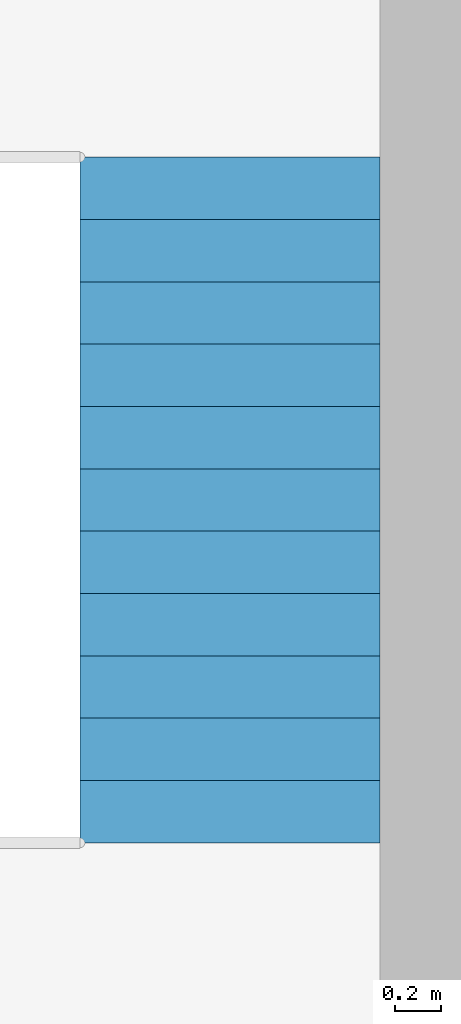
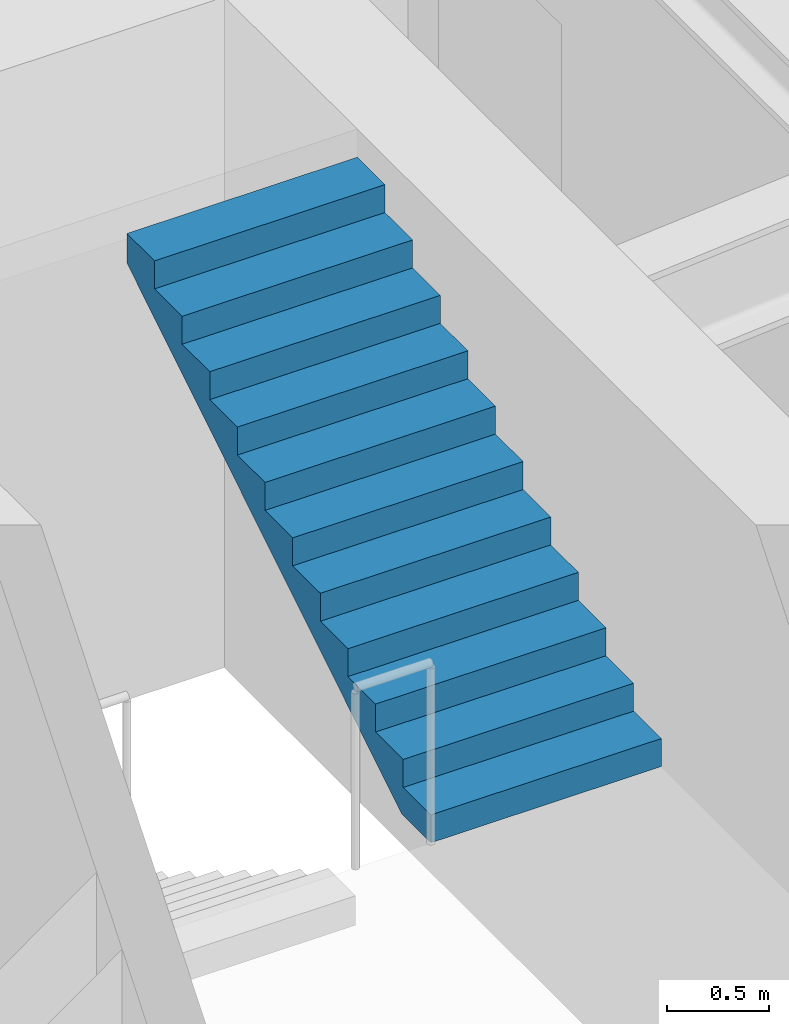
# One storey, part 8 of 10: 1 stair flight, 1 element without a shape of its own.
"""IFC4 building model written with IfcOpenShell, lengths in metres."""

from ifc_helpers import new_model, si_unit, direction, frame, origin, place, context, subcontext, project, spatial, polyline, outline, extrude, material, type_object, element, aggregate, save


model = new_model("IFC4")

# Units and contexts
model_context = context("Model", 3, precision=1e-05, world=origin(), true_north=direction((0.0, 1.0)))
body_context = subcontext(model_context, "Body", "Model", "MODEL_VIEW")
ifc_project = project(units=[si_unit("LENGTHUNIT", "METRE"), si_unit("AREAUNIT", "SQUARE_METRE"), si_unit("VOLUMEUNIT", "CUBIC_METRE"), si_unit("PLANEANGLEUNIT", "RADIAN"), si_unit("MASSUNIT", "GRAM", prefix="KILO")], contexts=[model_context])

# Site, building, storey
site_placement = place(None, origin())
site = spatial("IfcSite", under=ifc_project, at=site_placement, CompositionType="ELEMENT")
building_placement = place(site_placement, origin())
building = spatial("IfcBuilding", under=site, at=building_placement, Name="Isbrekke Arena Tower", CompositionType="ELEMENT")
storey_placement = place(building_placement, frame((0.0, 0.0, 238.0)))
storey = spatial("IfcBuildingStorey", under=building, at=storey_placement, Name="L55", CompositionType="ELEMENT", Elevation=238.0)

# Stair, stair flight
ifc_material_1 = material(Name="Concrete B45 (C45/55) precast", Category="concrete")
stair_type = type_object("IfcStairType", Name="ST40 STAIR 1300 WIDE, 24 RISERS 167", PredefinedType="HALF_TURN_STAIR", material=ifc_material_1)
stair_placement = place(storey_placement, origin())
stair = element("IfcStair", 1, at=stair_placement, inside=storey, type_object=stair_type, Name="ST2 stair L55", PredefinedType="HALF_TURN_STAIR")
ifc_material_2 = material(Name="Concrete B45 (C45/55) precast", Category="concrete")
stair_flight_type = type_object("IfcStairFlightType", Name="SF 1300 FLIGHT", PredefinedType="STRAIGHT", material=ifc_material_2)
stair_flight_placement = place(storey_placement, frame((12.89990234375, 19.280029296875, 2.0), z_axis=(0.0, 0.0, 1.0), x_axis=(0.0, 1.0, 0.0)))
stair_flight = element("IfcStairFlight", 2, at=stair_flight_placement, type_object=stair_flight_type, Name="ST2 flight 2", NumberOfRisers=12, NumberOfTreads=11, PredefinedType="STRAIGHT", RiserHeight=0.166666667, TreadLength=0.27, context=body_context, shape_type="SweptSolid", body=[
    extrude(outline(polyline([(0.0, 0.0), (0.0, 0.166748046875), (0.27001953125, 0.166748046875), (0.27001953125, 0.333251953125), (0.5400390625, 0.333251953125), (0.5400390625, 0.5), (0.81005859375, 0.5), (0.81005859375, 0.666748046875), (1.080078125, 0.666748046875), (1.080078125, 0.833251953125), (1.35009765625, 0.833251953125), (1.35009765625, 1.0), (1.6201171875, 1.0), (1.6201171875, 1.166748046875), (1.889892578125, 1.166748046875), (1.889892578125, 1.333251953125), (2.159912109375, 1.333251953125), (2.159912109375, 1.5), (2.429931640625, 1.5), (2.429931640625, 1.666748046875), (2.699951171875, 1.666748046875), (2.699951171875, 1.833251953125), (2.969970703125, 1.833251953125), (2.969970703125, 2.0), (2.969970703125, 1.6572265625), (0.285400390625, 0.0), (0.0, 0.0)])), frame((0.0, 0.64990234375, 0.0), z_axis=(0.0, -1.0, 0.0), x_axis=(1.0, 0.0, 0.0)), (0.0, 0.0, 1.0), 1.300048828125),
])
aggregate(stair, [stair_flight])

save(model, "model.ifc")
